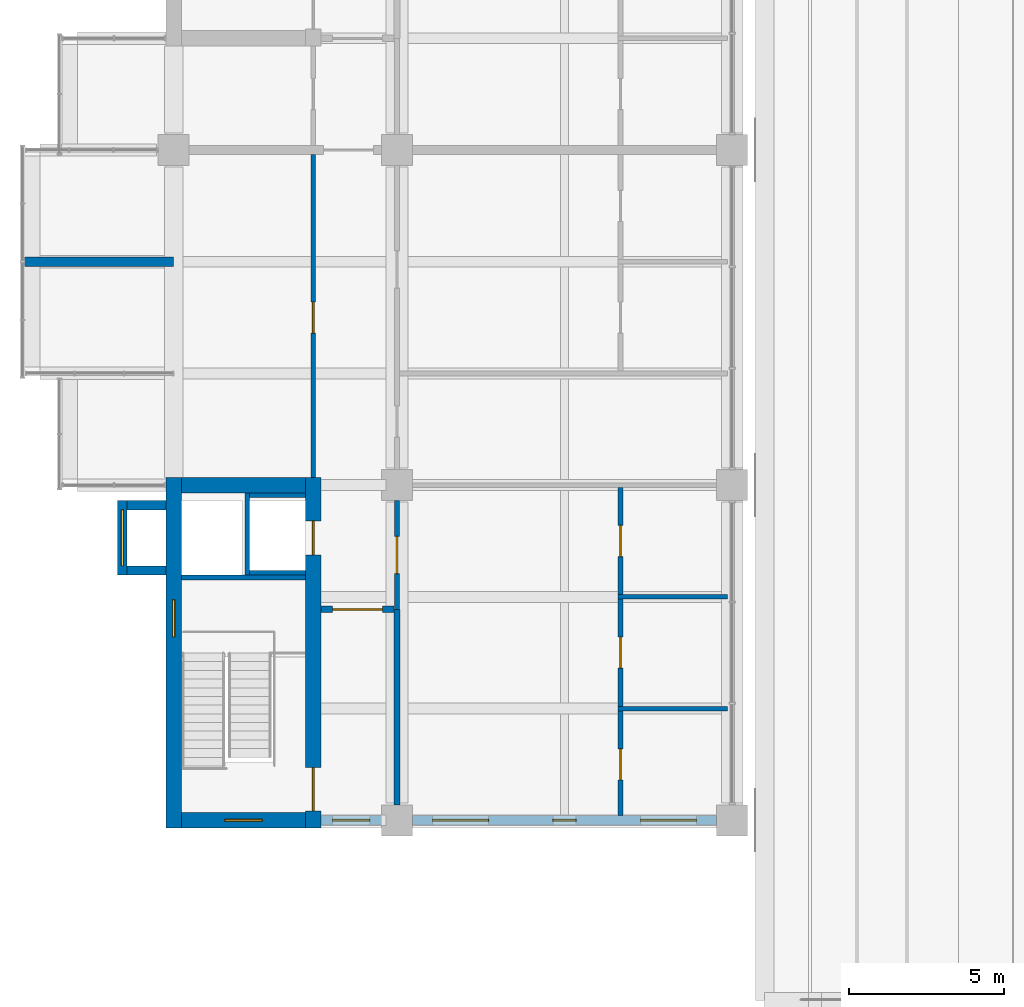
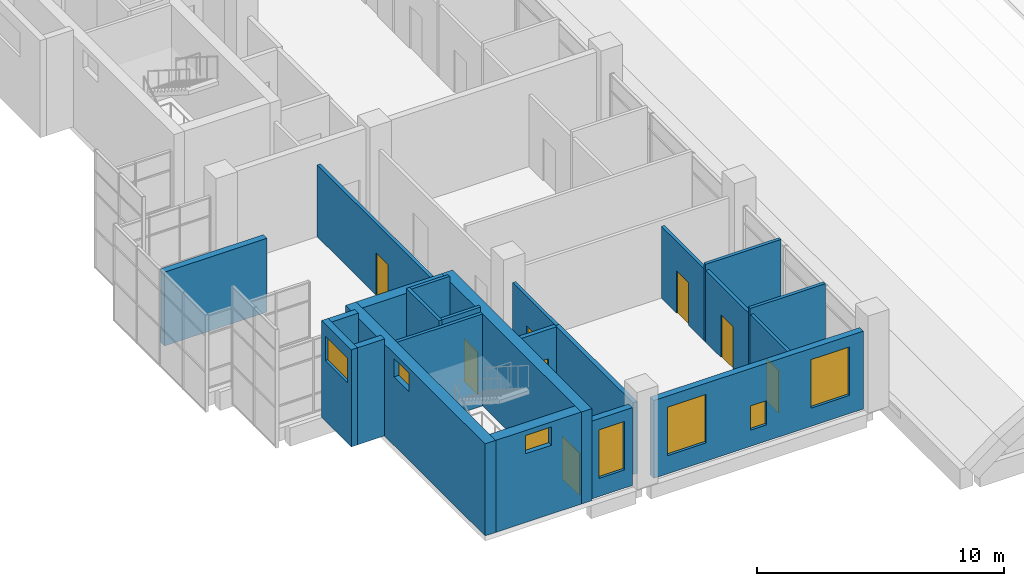
# One storey, part 30 of 45: 23 walls, 8 doors, 7 windows, 15 openings.
"""IFC4 building model written with IfcOpenShell, lengths in metres."""

from ifc_helpers import new_model, si_unit, direction, frame, frame_2d, origin, place, context, subcontext, project, spatial, rectangle, extrude, material, layer, layer_set, type_object, element, fill, save


model = new_model("IFC4")

# Units and contexts
model_context = context("Model", 3, precision=1e-05, world=origin(), true_north=direction((0.0, 1.0)))
body_context = subcontext(model_context, "Body", "Model", "MODEL_VIEW")
ifc_project = project(units=[si_unit("LENGTHUNIT", "METRE"), si_unit("AREAUNIT", "SQUARE_METRE"), si_unit("VOLUMEUNIT", "CUBIC_METRE"), si_unit("PLANEANGLEUNIT", "RADIAN"), si_unit("MASSUNIT", "GRAM", prefix="KILO")], contexts=[model_context])

# Site, building, storey
site_placement = place(None, origin())
site = spatial("IfcSite", under=ifc_project, at=site_placement, CompositionType="ELEMENT")
building_placement = place(site_placement, origin())
building = spatial("IfcBuilding", under=site, at=building_placement, Name="Basin Gate Institute", CompositionType="ELEMENT")
storey_placement = place(building_placement, frame((0.0, 0.0, 22.199951171875)))
storey = spatial("IfcBuildingStorey", under=building, at=storey_placement, Name="L04", CompositionType="ELEMENT", Elevation=22.199951171875)

# Wall
ifc_material_1 = material(Name="Aluminium-faced insulated panel wall", Category="aluminium")
ifc_layer_1 = layer(ifc_material_1, 0.300048828125)
ifc_layer_set_1 = layer_set([ifc_layer_1], Name="Capsule side wall EW2 EI 120")
wall_type_1 = type_object("IfcWallType", Name="Capsule side wall EW2 EI 120", PredefinedType="STANDARD", material=ifc_layer_set_1)
wall_1_placement = place(storey_placement, frame((56.39990234375, 53.10009765625, 0.0), z_axis=(0.0, 0.0, 1.0), x_axis=(1.0, 0.0, 0.0)))
element("IfcWall", 1, at=wall_1_placement, inside=storey, type_object=wall_type_1, material=ifc_layer_set_1, Name="Capsule side wall W wing L04 line 6", PredefinedType="STANDARD", context=body_context, shape_type="SweptSolid", body=[
    extrude(rectangle(XDim=4.800048828125, YDim=0.300048828125, at=frame_2d((2.39990234375, 0.0))), origin(), (0.0, 0.0, 1.0), 3.650146484375),
])

# Wall, opening, door
ifc_material_2 = material(Name="Fire-rated masonry", Category="masonry")
ifc_layer_2 = layer(ifc_material_2, 0.199951171875)
ifc_layer_set_2 = layer_set([ifc_layer_2], Name="Enclosure wall PW2 200 EI 60")
wall_type_2 = type_object("IfcWallType", Name="Enclosure wall PW2 200 EI 60", PredefinedType="PARTITIONING", material=ifc_layer_set_2)
wall_2_placement = place(storey_placement, frame((65.949951171875, 41.89990234375, 0.0), z_axis=(0.0, 0.0, 1.0), x_axis=(1.0, 0.0, 0.0)))
wall_2 = element("IfcWall", 2, at=wall_2_placement, inside=storey, type_object=wall_type_2, material=ifc_layer_set_2, Name="Smoke lobby enclosure wall PW2 L04", PredefinedType="PARTITIONING", context=body_context, shape_type="SweptSolid", body=[
    extrude(rectangle(XDim=2.35009765625, YDim=0.199951171875, at=frame_2d((1.175048828125, 0.0))), origin(), (0.0, 0.0, 1.0), 3.550048828125),
])
opening_1_placement = place(wall_2_placement, frame((0.375, 0.0, 0.0)))
opening_1 = element("IfcOpeningElement", 3, at=opening_1_placement, cuts=wall_2, Name="Opening DR239", PredefinedType="OPENING", context=body_context, shape_type="SweptSolid", body=[
    extrude(rectangle(XDim=1.60009765625, YDim=2.10009765625, at=frame_2d((0.800048828125, 1.050048828125))), frame((0.0, 0.10986328125, 0.0), z_axis=(0.0, -1.0, 0.0), x_axis=(1.0, 0.0, 0.0)), (0.0, 0.0, 1.0), 0.219970703125),
])
ifc_material_3 = material(Name="Steel fire door", Category="steel")
door_type_1 = type_object("IfcDoorType", Name="FD60 Smoke lobby door pair D8", OperationType="DOUBLE_DOOR_SINGLE_SWING", PredefinedType="DOOR", material=ifc_material_3)
door_1_placement = place(opening_1_placement, frame((1.60009765625, 0.0, 0.0), z_axis=(0.0, 0.0, 1.0), x_axis=(-1.0, 0.0, 0.0)))
door_1 = element("IfcDoor", 4, at=door_1_placement, inside=storey, type_object=door_type_1, material=ifc_material_3, Name="Smoke lobby door SS1 L04", OperationType="DOUBLE_DOOR_SINGLE_SWING", OverallHeight=2.10009765625, OverallWidth=1.60009765625, PredefinedType="DOOR", context=body_context, shape_type="SweptSolid", body=[
    extrude(rectangle(XDim=1.60009765625, YDim=2.10009765625, at=frame_2d((0.800048828125, 1.050048828125))), frame((0.0, 0.02490234375, 0.0), z_axis=(0.0, -1.0, 0.0), x_axis=(1.0, 0.0, 0.0)), (0.0, 0.0, 1.0), 0.050048828125),
])
fill(opening_1, door_1)

# Wall
wall_3_placement = place(storey_placement, frame((68.39990234375, 35.60009765625, 0.0), z_axis=(0.0, 0.0, 1.0), x_axis=(0.0, 1.0, 0.0)))
element("IfcWall", 5, at=wall_3_placement, inside=storey, type_object=wall_type_2, material=ifc_layer_set_2, Name="Smoke lobby enclosure wall PW2 L04", PredefinedType="PARTITIONING", context=body_context, shape_type="SweptSolid", body=[
    extrude(rectangle(XDim=6.2998046875, YDim=0.199951171875, at=frame_2d((3.14990234375, 0.0))), origin(), (0.0, 0.0, 1.0), 3.550048828125),
])

# Wall, opening, window
ifc_material_4 = material(Name="Aluminium-faced insulated panel wall", Category="aluminium")
ifc_layer_3 = layer(ifc_material_4, 0.300048828125)
ifc_layer_set_3 = layer_set([ifc_layer_3], Name="External wall EW1 EI 120")
wall_type_3 = type_object("IfcWallType", Name="External wall EW1 EI 120", PredefinedType="STANDARD", material=ifc_layer_set_3)
wall_4_placement = place(storey_placement, frame((65.949951171875, 35.10009765625, 0.0), z_axis=(0.0, 0.0, 1.0), x_axis=(1.0, 0.0, 0.0)))
wall_4 = element("IfcWall", 6, at=wall_4_placement, inside=storey, type_object=wall_type_3, material=ifc_layer_set_3, Name="External end wall W wing south L04 1", PredefinedType="STANDARD", context=body_context, shape_type="SweptSolid", body=[
    extrude(rectangle(XDim=1.949951171875, YDim=0.300048828125, at=frame_2d((0.97509765625, 0.0))), origin(), (0.0, 0.0, 1.0), 3.85009765625),
])
opening_2_placement = place(wall_4_placement, frame((0.375, 0.0, 0.89990234375)))
opening_2 = element("IfcOpeningElement", 7, at=opening_2_placement, cuts=wall_4, Name="Opening WN4", PredefinedType="OPENING", context=body_context, shape_type="SweptSolid", body=[
    extrude(rectangle(XDim=1.199951171875, YDim=2.39990234375, at=frame_2d((0.60009765625, 1.199951171875))), frame((0.0, 0.16015625, 0.0), z_axis=(0.0, -1.0, 0.0), x_axis=(1.0, 0.0, 0.0)), (0.0, 0.0, 1.0), 0.320068359375),
])
ifc_material_5 = material(Name="Aluminium-framed double glazing", Category="aluminium")
window_type_1 = type_object("IfcWindowType", Name="Corridor end window WN4", PartitioningType="SINGLE_PANEL", PredefinedType="WINDOW", material=ifc_material_5)
window_1_placement = place(opening_2_placement, origin())
window_1 = element("IfcWindow", 8, at=window_1_placement, inside=storey, type_object=window_type_1, material=ifc_material_5, Name="Corridor end window W wing S L04", OverallHeight=2.39990234375, OverallWidth=1.199951171875, PartitioningType="SINGLE_PANEL", PredefinedType="WINDOW", context=body_context, shape_type="SweptSolid", body=[
    extrude(rectangle(XDim=1.199951171875, YDim=2.39990234375, at=frame_2d((0.60009765625, 1.199951171875))), frame((0.0, 0.030029296875, 0.0), z_axis=(0.0, -1.0, 0.0), x_axis=(1.0, 0.0, 0.0)), (0.0, 0.0, 1.0), 0.06005859375),
])
fill(opening_2, window_1)

# Wall, openings, windows
wall_5_placement = place(storey_placement, frame((68.89990234375, 35.10009765625, 0.0), z_axis=(0.0, 0.0, 1.0), x_axis=(1.0, 0.0, 0.0)))
wall_5 = element("IfcWall", 9, at=wall_5_placement, inside=storey, type_object=wall_type_3, material=ifc_layer_set_3, Name="External end wall W wing south L04 2", PredefinedType="STANDARD", context=body_context, shape_type="SweptSolid", body=[
    extrude(rectangle(XDim=9.800048828125, YDim=0.300048828125, at=frame_2d((4.89990234375, 0.0))), origin(), (0.0, 0.0, 1.0), 3.85009765625),
])
opening_3_placement = place(wall_5_placement, frame((0.64990234375, 0.0, 0.89990234375)))
opening_3 = element("IfcOpeningElement", 10, at=opening_3_placement, cuts=wall_5, Name="Opening WN1", PredefinedType="OPENING", context=body_context, shape_type="SweptSolid", body=[
    extrude(rectangle(XDim=1.800048828125, YDim=2.39990234375, at=frame_2d((0.89990234375, 1.199951171875))), frame((0.0, 0.16015625, 0.0), z_axis=(0.0, -1.0, 0.0), x_axis=(1.0, 0.0, 0.0)), (0.0, 0.0, 1.0), 0.320068359375),
])
opening_4_placement = place(wall_5_placement, frame((4.52490234375, 0.0, 0.800048828125)))
opening_4 = element("IfcOpeningElement", 11, at=opening_4_placement, cuts=wall_5, Name="Opening WN3", PredefinedType="OPENING", context=body_context, shape_type="SweptSolid", body=[
    extrude(rectangle(XDim=0.75, YDim=1.199951171875, at=frame_2d((0.375, 0.60009765625))), frame((0.0, 0.16015625, 0.0), z_axis=(0.0, -1.0, 0.0), x_axis=(1.0, 0.0, 0.0)), (0.0, 0.0, 1.0), 0.320068359375),
])
opening_5_placement = place(wall_5_placement, frame((7.35009765625, 0.0, 0.89990234375)))
opening_5 = element("IfcOpeningElement", 12, at=opening_5_placement, cuts=wall_5, Name="Opening WN1", PredefinedType="OPENING", context=body_context, shape_type="SweptSolid", body=[
    extrude(rectangle(XDim=1.800048828125, YDim=2.39990234375, at=frame_2d((0.89990234375, 1.199951171875))), frame((0.0, 0.16015625, 0.0), z_axis=(0.0, -1.0, 0.0), x_axis=(1.0, 0.0, 0.0)), (0.0, 0.0, 1.0), 0.320068359375),
])
ifc_material_6 = material(Name="Aluminium-framed double glazing", Category="aluminium")
window_type_2 = type_object("IfcWindowType", Name="Emergency entry panel WN3", PartitioningType="SINGLE_PANEL", PredefinedType="WINDOW", material=ifc_material_6)
window_2_placement = place(opening_4_placement, origin())
window_2 = element("IfcWindow", 13, at=window_2_placement, inside=storey, type_object=window_type_2, material=ifc_material_6, Name="Emergency entry panel W wing end S L04 bay 2", OverallHeight=1.199951171875, OverallWidth=0.75, PartitioningType="SINGLE_PANEL", PredefinedType="WINDOW", context=body_context, shape_type="SweptSolid", body=[
    extrude(rectangle(XDim=0.75, YDim=1.199951171875, at=frame_2d((0.375, 0.60009765625))), frame((0.0, 0.030029296875, 0.0), z_axis=(0.0, -1.0, 0.0), x_axis=(1.0, 0.0, 0.0)), (0.0, 0.0, 1.0), 0.06005859375),
])
fill(opening_4, window_2)
ifc_material_7 = material(Name="Aluminium-framed double glazing", Category="aluminium")
window_type_3 = type_object("IfcWindowType", Name="Facade window WN1", PartitioningType="SINGLE_PANEL", PredefinedType="WINDOW", material=ifc_material_7)
window_3_placement = place(opening_3_placement, origin())
window_3 = element("IfcWindow", 14, at=window_3_placement, inside=storey, type_object=window_type_3, material=ifc_material_7, Name="Facade window W wing end S L04 bay 1", OverallHeight=2.39990234375, OverallWidth=1.800048828125, PartitioningType="SINGLE_PANEL", PredefinedType="WINDOW", context=body_context, shape_type="SweptSolid", body=[
    extrude(rectangle(XDim=1.800048828125, YDim=2.39990234375, at=frame_2d((0.89990234375, 1.199951171875))), frame((0.0, 0.030029296875, 0.0), z_axis=(0.0, -1.0, 0.0), x_axis=(1.0, 0.0, 0.0)), (0.0, 0.0, 1.0), 0.06005859375),
])
fill(opening_3, window_3)
window_4_placement = place(opening_5_placement, origin())
window_4 = element("IfcWindow", 15, at=window_4_placement, inside=storey, type_object=window_type_3, material=ifc_material_7, Name="Facade window W wing end S L04 bay 3", OverallHeight=2.39990234375, OverallWidth=1.800048828125, PartitioningType="SINGLE_PANEL", PredefinedType="WINDOW", context=body_context, shape_type="SweptSolid", body=[
    extrude(rectangle(XDim=1.800048828125, YDim=2.39990234375, at=frame_2d((0.89990234375, 1.199951171875))), frame((0.0, 0.030029296875, 0.0), z_axis=(0.0, -1.0, 0.0), x_axis=(1.0, 0.0, 0.0)), (0.0, 0.0, 1.0), 0.06005859375),
])
fill(opening_5, window_4)

# Wall, opening, door
ifc_material_8 = material(Name="Gypsum board on steel stud", Category="steel")
ifc_layer_4 = layer(ifc_material_8, 0.14990234375)
ifc_layer_set_4 = layer_set([ifc_layer_4], Name="Gypsum board on steel stud")
wall_type_4 = type_object("IfcWallType", Name="Partition PW1 150 EI 60", PredefinedType="PARTITIONING", material=ifc_layer_set_4)
wall_6_placement = place(storey_placement, frame((65.699951171875, 46.14990234375, 0.0), z_axis=(0.0, 0.0, 1.0), x_axis=(0.0, 1.0, 0.0)))
wall_6 = element("IfcWall", 16, at=wall_6_placement, inside=storey, type_object=wall_type_4, material=ifc_layer_set_4, Name="Corridor wall PW1 L04", PredefinedType="PARTITIONING", context=body_context, shape_type="SweptSolid", body=[
    extrude(rectangle(XDim=10.400146484375, YDim=0.14990234375, at=frame_2d((5.2001953125, 0.0))), origin(), (0.0, 0.0, 1.0), 3.550048828125),
])
opening_6_placement = place(wall_6_placement, frame((4.64990234375, 0.0, 0.0)))
opening_6 = element("IfcOpeningElement", 17, at=opening_6_placement, cuts=wall_6, Name="Opening DR217", PredefinedType="OPENING", context=body_context, shape_type="SweptSolid", body=[
    extrude(rectangle(XDim=1.0, YDim=2.10009765625, at=frame_2d((0.5, 1.050048828125))), frame((0.0, 0.0849609375, 0.0), z_axis=(0.0, -1.0, 0.0), x_axis=(1.0, 0.0, 0.0)), (0.0, 0.0, 1.0), 0.169921875),
])
ifc_material_9 = material(Name="Timber fire door", Category="wood")
door_type_2 = type_object("IfcDoorType", Name="FD30 Office door D1", OperationType="NOTDEFINED", PredefinedType="DOOR", material=ifc_material_9)
door_2_placement = place(opening_6_placement, origin())
door_2 = element("IfcDoor", 18, at=door_2_placement, inside=storey, type_object=door_type_2, material=ifc_material_9, Name="Door to Library Carrel Room 0401 L04", OperationType="SINGLE_SWING_LEFT", OverallHeight=2.10009765625, OverallWidth=1.0, PredefinedType="DOOR", context=body_context, shape_type="SweptSolid", body=[
    extrude(rectangle(XDim=1.0, YDim=2.10009765625, at=frame_2d((0.5, 1.050048828125))), frame((0.0, 0.02490234375, 0.0), z_axis=(0.0, -1.0, 0.0), x_axis=(1.0, 0.0, 0.0)), (0.0, 0.0, 1.0), 0.050048828125),
])
fill(opening_6, door_2)

wall_7_placement = place(storey_placement, frame((68.39990234375, 41.89990234375, 0.0), z_axis=(0.0, 0.0, 1.0), x_axis=(0.0, 1.0, 0.0)))
wall_7 = element("IfcWall", 19, at=wall_7_placement, inside=storey, type_object=wall_type_4, material=ifc_layer_set_4, Name="Laboratory corridor wall PW1 L04", PredefinedType="PARTITIONING", context=body_context, shape_type="SweptSolid", body=[
    extrude(rectangle(XDim=3.5, YDim=0.14990234375, at=frame_2d((1.75, 0.0))), origin(), (0.0, 0.0, 1.0), 3.550048828125),
])
opening_7_placement = place(wall_7_placement, frame((1.14990234375, 0.0, 0.0)))
opening_7 = element("IfcOpeningElement", 20, at=opening_7_placement, cuts=wall_7, Name="Opening DR220", PredefinedType="OPENING", context=body_context, shape_type="SweptSolid", body=[
    extrude(rectangle(XDim=1.199951171875, YDim=2.10009765625, at=frame_2d((0.60009765625, 1.050048828125))), frame((0.0, 0.0849609375, 0.0), z_axis=(0.0, -1.0, 0.0), x_axis=(1.0, 0.0, 0.0)), (0.0, 0.0, 1.0), 0.169921875),
])
ifc_material_10 = material(Name="Timber fire door", Category="wood")
door_type_3 = type_object("IfcDoorType", Name="FD30 Laboratory door D2", OperationType="DOUBLE_DOOR_SINGLE_SWING", PredefinedType="DOOR", material=ifc_material_10)
door_3_placement = place(opening_7_placement, frame((1.199951171875, 0.0, 0.0), z_axis=(0.0, 0.0, 1.0), x_axis=(-1.0, 0.0, 0.0)))
door_3 = element("IfcDoor", 21, at=door_3_placement, inside=storey, type_object=door_type_3, material=ifc_material_10, Name="Door to Wet Laboratory 0414 L04", OperationType="DOUBLE_DOOR_SINGLE_SWING", OverallHeight=2.10009765625, OverallWidth=1.199951171875, PredefinedType="DOOR", context=body_context, shape_type="SweptSolid", body=[
    extrude(rectangle(XDim=1.199951171875, YDim=2.10009765625, at=frame_2d((0.60009765625, 1.050048828125))), frame((0.0, 0.02490234375, 0.0), z_axis=(0.0, -1.0, 0.0), x_axis=(1.0, 0.0, 0.0)), (0.0, 0.0, 1.0), 0.050048828125),
])
fill(opening_7, door_3)

wall_8_placement = place(storey_placement, frame((75.60009765625, 35.25, 0.0), z_axis=(0.0, 0.0, 1.0), x_axis=(0.0, 1.0, 0.0)))
wall_8 = element("IfcWall", 22, at=wall_8_placement, inside=storey, type_object=wall_type_4, material=ifc_layer_set_4, Name="Laboratory partition PW1 L04", PredefinedType="PARTITIONING", context=body_context, shape_type="SweptSolid", body=[
    extrude(rectangle(XDim=3.375, YDim=0.14990234375, at=frame_2d((1.6875, 0.0))), origin(), (0.0, 0.0, 1.0), 3.550048828125),
])
opening_8_placement = place(wall_8_placement, frame((1.14990234375, 0.0, 0.0)))
opening_8 = element("IfcOpeningElement", 23, at=opening_8_placement, cuts=wall_8, Name="Opening DR225", PredefinedType="OPENING", context=body_context, shape_type="SweptSolid", body=[
    extrude(rectangle(XDim=1.0, YDim=2.10009765625, at=frame_2d((0.5, 1.050048828125))), frame((0.0, 0.0849609375, 0.0), z_axis=(0.0, -1.0, 0.0), x_axis=(1.0, 0.0, 0.0)), (0.0, 0.0, 1.0), 0.169921875),
])
door_4_placement = place(opening_8_placement, origin())
door_4 = element("IfcDoor", 24, at=door_4_placement, inside=storey, type_object=door_type_2, material=ifc_material_9, Name="Door to Write-up Cell 0415 L04", OperationType="SINGLE_SWING_LEFT", OverallHeight=2.10009765625, OverallWidth=1.0, PredefinedType="DOOR", context=body_context, shape_type="SweptSolid", body=[
    extrude(rectangle(XDim=1.0, YDim=2.10009765625, at=frame_2d((0.5, 1.050048828125))), frame((0.0, 0.02490234375, 0.0), z_axis=(0.0, -1.0, 0.0), x_axis=(1.0, 0.0, 0.0)), (0.0, 0.0, 1.0), 0.050048828125),
])
fill(opening_8, door_4)

wall_9_placement = place(storey_placement, frame((75.60009765625, 38.77490234375, 0.0), z_axis=(0.0, 0.0, 1.0), x_axis=(0.0, 1.0, 0.0)))
wall_9 = element("IfcWall", 25, at=wall_9_placement, inside=storey, type_object=wall_type_4, material=ifc_layer_set_4, Name="Laboratory partition PW1 L04", PredefinedType="PARTITIONING", context=body_context, shape_type="SweptSolid", body=[
    extrude(rectangle(XDim=3.4501953125, YDim=0.14990234375, at=frame_2d((1.72509765625, 0.0))), origin(), (0.0, 0.0, 1.0), 3.550048828125),
])
opening_9_placement = place(wall_9_placement, frame((1.22509765625, 0.0, 0.0)))
opening_9 = element("IfcOpeningElement", 26, at=opening_9_placement, cuts=wall_9, Name="Opening DR226", PredefinedType="OPENING", context=body_context, shape_type="SweptSolid", body=[
    extrude(rectangle(XDim=1.0, YDim=2.10009765625, at=frame_2d((0.5, 1.050048828125))), frame((0.0, 0.0849609375, 0.0), z_axis=(0.0, -1.0, 0.0), x_axis=(1.0, 0.0, 0.0)), (0.0, 0.0, 1.0), 0.169921875),
])
door_5_placement = place(opening_9_placement, origin())
door_5 = element("IfcDoor", 27, at=door_5_placement, inside=storey, type_object=door_type_2, material=ifc_material_9, Name="Door to Write-up Cell 0416 L04", OperationType="SINGLE_SWING_LEFT", OverallHeight=2.10009765625, OverallWidth=1.0, PredefinedType="DOOR", context=body_context, shape_type="SweptSolid", body=[
    extrude(rectangle(XDim=1.0, YDim=2.10009765625, at=frame_2d((0.5, 1.050048828125))), frame((0.0, 0.02490234375, 0.0), z_axis=(0.0, -1.0, 0.0), x_axis=(1.0, 0.0, 0.0)), (0.0, 0.0, 1.0), 0.050048828125),
])
fill(opening_9, door_5)

wall_10_placement = place(storey_placement, frame((75.60009765625, 42.375, 0.0), z_axis=(0.0, 0.0, 1.0), x_axis=(0.0, 1.0, 0.0)))
wall_10 = element("IfcWall", 28, at=wall_10_placement, inside=storey, type_object=wall_type_4, material=ifc_layer_set_4, Name="Laboratory partition PW1 L04", PredefinedType="PARTITIONING", context=body_context, shape_type="SweptSolid", body=[
    extrude(rectangle(XDim=3.449951171875, YDim=0.14990234375, at=frame_2d((1.72509765625, 0.0))), origin(), (0.0, 0.0, 1.0), 3.550048828125),
])
opening_10_placement = place(wall_10_placement, frame((1.22509765625, 0.0, 0.0)))
opening_10 = element("IfcOpeningElement", 29, at=opening_10_placement, cuts=wall_10, Name="Opening DR227", PredefinedType="OPENING", context=body_context, shape_type="SweptSolid", body=[
    extrude(rectangle(XDim=1.0, YDim=2.10009765625, at=frame_2d((0.5, 1.050048828125))), frame((0.0, 0.0849609375, 0.0), z_axis=(0.0, -1.0, 0.0), x_axis=(1.0, 0.0, 0.0)), (0.0, 0.0, 1.0), 0.169921875),
])
door_6_placement = place(opening_10_placement, origin())
door_6 = element("IfcDoor", 30, at=door_6_placement, inside=storey, type_object=door_type_2, material=ifc_material_9, Name="Door to Write-up Cell 0417 L04", OperationType="SINGLE_SWING_RIGHT", OverallHeight=2.10009765625, OverallWidth=1.0, PredefinedType="DOOR", context=body_context, shape_type="SweptSolid", body=[
    extrude(rectangle(XDim=1.0, YDim=2.10009765625, at=frame_2d((0.5, 1.050048828125))), frame((0.0, 0.02490234375, 0.0), z_axis=(0.0, -1.0, 0.0), x_axis=(1.0, 0.0, 0.0)), (0.0, 0.0, 1.0), 0.050048828125),
])
fill(opening_10, door_6)

# Walls
for number, where, z_axis, x_axis, name in (
    (31, (75.52490234375, 38.699951171875, 0.0), (0.0, 0.0, 1.0), (1.0, 0.0, 0.0), "Laboratory partition PW1 L04"),
    (32, (75.52490234375, 42.300048828125, 0.0), (0.0, 0.0, 1.0), (1.0, 0.0, 0.0), "Laboratory partition PW1 L04"),
):
    element("IfcWall", number, at=place(storey_placement, frame(where, z_axis=z_axis, x_axis=x_axis)), inside=storey, type_object=wall_type_4, material=ifc_layer_set_4, Name=name, PredefinedType="PARTITIONING", context=body_context, shape_type="SweptSolid", body=[
        extrude(rectangle(XDim=3.525146484375, YDim=0.14990234375, at=frame_2d((1.7626953125, 0.0))), origin(), (0.0, 0.0, 1.0), 3.85009765625),
    ])
ifc_material_11 = material(Name="Concrete 40 MPa", Category="concrete")
ifc_layer_5 = layer(ifc_material_11, 0.14990234375)
ifc_layer_set_5 = layer_set([ifc_layer_5], Name="Concrete 40 MPa")
wall_type_5 = type_object("IfcWallType", Name="Wall LS1 lift shaft enclosure R120", PredefinedType="SOLIDWALL", material=ifc_layer_set_5)
wall_11_placement = place(storey_placement, frame((63.574951171875, 43.0, 0.0), z_axis=(0.0, 0.0, 1.0), x_axis=(0.0, 1.0, 0.0)))
element("IfcWall", 33, at=wall_11_placement, inside=storey, type_object=wall_type_5, material=ifc_layer_set_5, Name="Lift shaft enclosure LP1 L04 UL", PredefinedType="SOLIDWALL", context=body_context, shape_type="SweptSolid", body=[
    extrude(rectangle(XDim=2.64990234375, YDim=0.14990234375, at=frame_2d((1.324951171875, 0.0))), origin(), (0.0, 0.0, 1.0), 4.800048828125),
])
for number, where, z_axis, x_axis, name in (
    (34, (63.64990234375, 43.074951171875, 0.0), (0.0, 0.0, 1.0), (1.0, 0.0, 0.0), "Lift shaft enclosure LP1 L04 RL"),
    (35, (63.64990234375, 45.574951171875, 0.0), (0.0, 0.0, 1.0), (1.0, 0.0, 0.0), "Lift shaft enclosure LP1 L04 RH"),
):
    element("IfcWall", number, at=place(storey_placement, frame(where, z_axis=z_axis, x_axis=x_axis)), inside=storey, type_object=wall_type_5, material=ifc_layer_set_5, Name=name, PredefinedType="SOLIDWALL", context=body_context, shape_type="SweptSolid", body=[
        extrude(rectangle(XDim=1.800048828125, YDim=0.14990234375, at=frame_2d((0.89990234375, 0.0))), origin(), (0.0, 0.0, 1.0), 4.800048828125),
    ])
ifc_material_12 = material(Name="Concrete 40 MPa", Category="concrete")
ifc_layer_6 = layer(ifc_material_12, 0.14990234375)
ifc_layer_set_6 = layer_set([ifc_layer_6], Name="Concrete 40 MPa")
wall_type_6 = type_object("IfcWallType", Name="Wall SE1 stair enclosure R120", PredefinedType="SOLIDWALL", material=ifc_layer_set_6)
wall_12_placement = place(storey_placement, frame((61.449951171875, 42.925048828125, 0.0), z_axis=(0.0, 0.0, 1.0), x_axis=(1.0, 0.0, 0.0)))
element("IfcWall", 36, at=wall_12_placement, inside=storey, type_object=wall_type_6, material=ifc_layer_set_6, Name="Stair enclosure wall ST-WS L04", PredefinedType="SOLIDWALL", context=body_context, shape_type="SweptSolid", body=[
    extrude(rectangle(XDim=4.0, YDim=0.14990234375, at=frame_2d((2.0, 0.0))), origin(), (0.0, 0.0, 1.0), 4.550048828125),
])

# Wall, opening, window
ifc_material_13 = material(Name="Concrete 50 MPa", Category="concrete")
ifc_layer_7 = layer(ifc_material_13, 0.300048828125)
ifc_layer_set_7 = layer_set([ifc_layer_7], Name="Concrete 50 MPa")
wall_type_7 = type_object("IfcWallType", Name="Wall SK1 R120", PredefinedType="SHEAR", material=ifc_layer_set_7)
wall_13_placement = place(storey_placement, frame((59.550048828125, 43.0, 0.0), z_axis=(0.0, 0.0, 1.0), x_axis=(0.0, 1.0, 0.0)))
wall_13 = element("IfcWall", 37, at=wall_13_placement, inside=storey, type_object=wall_type_7, material=ifc_layer_set_7, Name="Spine riser stack wall SK1 WS F L04", PredefinedType="SHEAR", context=body_context, shape_type="SweptSolid", body=[
    extrude(rectangle(XDim=2.39990234375, YDim=0.300048828125, at=frame_2d((1.199951171875, 0.0))), origin(), (0.0, 0.0, 1.0), 4.800048828125),
])
opening_11_placement = place(wall_13_placement, frame((0.300048828125, 0.0, 3.0)))
opening_11 = element("IfcOpeningElement", 38, at=opening_11_placement, cuts=wall_13, Name="Opening WL2", PredefinedType="OPENING", context=body_context, shape_type="SweptSolid", body=[
    extrude(rectangle(XDim=1.800048828125, YDim=1.199951171875, at=frame_2d((0.89990234375, 0.60009765625))), frame((0.0, 0.16015625, 0.0), z_axis=(0.0, -1.0, 0.0), x_axis=(1.0, 0.0, 0.0)), (0.0, 0.0, 1.0), 0.320068359375),
])
ifc_material_14 = material(Name="Aluminium louvre blades with fire damper", Category="aluminium")
window_type_4 = type_object("IfcWindowType", Name="Riser louvre EI 120 WL2", PartitioningType="SINGLE_PANEL", PredefinedType="WINDOW", material=ifc_material_14)
window_5_placement = place(opening_11_placement, origin())
window_5 = element("IfcWindow", 39, at=window_5_placement, inside=storey, type_object=window_type_4, material=ifc_material_14, Name="Riser louvre EI 120 WS riser 1 L04", OverallHeight=1.199951171875, OverallWidth=1.800048828125, PartitioningType="SINGLE_PANEL", PredefinedType="WINDOW", context=body_context, shape_type="SweptSolid", body=[
    extrude(rectangle(XDim=1.800048828125, YDim=1.199951171875, at=frame_2d((0.89990234375, 0.60009765625))), frame((0.0, 0.030029296875, 0.0), z_axis=(0.0, -1.0, 0.0), x_axis=(1.0, 0.0, 0.0)), (0.0, 0.0, 1.0), 0.06005859375),
])
fill(opening_11, window_5)

# Walls
for number, where, z_axis, x_axis, name in (
    (40, (60.949951171875, 43.14990234375, 0.0), (0.0, 0.0, 1.0), (-1.0, 0.0, 0.0), "Spine riser stack wall SK1 WS A L04"),
    (41, (60.949951171875, 45.25, 0.0), (0.0, 0.0, 1.0), (-1.0, 0.0, 0.0), "Spine riser stack wall SK1 WS B L04"),
):
    element("IfcWall", number, at=place(storey_placement, frame(where, z_axis=z_axis, x_axis=x_axis)), inside=storey, type_object=wall_type_7, material=ifc_layer_set_7, Name=name, PredefinedType="SHEAR", context=body_context, shape_type="SweptSolid", body=[
        extrude(rectangle(XDim=1.25, YDim=0.300048828125, at=frame_2d((0.625, 0.0))), origin(), (0.0, 0.0, 1.0), 4.800048828125),
    ])

# Wall, opening, window
ifc_material_15 = material(Name="Concrete 60 MPa", Category="concrete")
ifc_layer_8 = layer(ifc_material_15, 0.5)
ifc_layer_set_8 = layer_set([ifc_layer_8], Name="Concrete 60 MPa")
wall_type_8 = type_object("IfcWallType", Name="Wall SW1 R120", PredefinedType="SHEAR", material=ifc_layer_set_8)
wall_14_placement = place(storey_placement, frame((61.199951171875, 34.85009765625, 0.0), z_axis=(0.0, 0.0, 1.0), x_axis=(0.0, 1.0, 0.0)))
wall_14 = element("IfcWall", 42, at=wall_14_placement, inside=storey, type_object=wall_type_8, material=ifc_layer_set_8, Name="WALL/L04/WS/L", PredefinedType="SHEAR", context=body_context, shape_type="SweptSolid", body=[
    extrude(rectangle(XDim=11.2998046875, YDim=0.5, at=frame_2d((5.64990234375, 0.0))), origin(), (0.0, 0.0, 1.0), 4.550048828125),
])
opening_12_placement = place(wall_14_placement, frame((6.159912109375, 0.0, 3.39990234375)))
opening_12 = element("IfcOpeningElement", 43, at=opening_12_placement, cuts=wall_14, Name="Opening WT2", PredefinedType="OPENING", context=body_context, shape_type="SweptSolid", body=[
    extrude(rectangle(XDim=1.199951171875, YDim=0.89990234375, at=frame_2d((0.60009765625, 0.449951171875))), frame((0.0, 0.260009765625, 0.0), z_axis=(0.0, -1.0, 0.0), x_axis=(1.0, 0.0, 0.0)), (0.0, 0.0, 1.0), 0.52001953125),
])
ifc_material_16 = material(Name="Fire-resistant glazing in steel-free frame", Category="steel")
window_type_5 = type_object("IfcWindowType", Name="Rated stair window EI 120 WT2", PartitioningType="SINGLE_PANEL", PredefinedType="WINDOW", material=ifc_material_16)
window_6_placement = place(opening_12_placement, origin())
window_6 = element("IfcWindow", 44, at=window_6_placement, inside=storey, type_object=window_type_5, material=ifc_material_16, Name="Rated stair window EI 120 WS landing L04", OverallHeight=0.89990234375, OverallWidth=1.199951171875, PartitioningType="SINGLE_PANEL", PredefinedType="WINDOW", context=body_context, shape_type="SweptSolid", body=[
    extrude(rectangle(XDim=1.199951171875, YDim=0.89990234375, at=frame_2d((0.60009765625, 0.449951171875))), frame((0.0, 0.030029296875, 0.0), z_axis=(0.0, -1.0, 0.0), x_axis=(1.0, 0.0, 0.0)), (0.0, 0.0, 1.0), 0.06005859375),
])
fill(opening_12, window_6)

# Wall, openings, doors
wall_15_placement = place(storey_placement, frame((65.699951171875, 34.85009765625, 0.0), z_axis=(0.0, 0.0, 1.0), x_axis=(0.0, 1.0, 0.0)))
wall_15 = element("IfcWall", 45, at=wall_15_placement, inside=storey, type_object=wall_type_8, material=ifc_layer_set_8, Name="WALL/L04/WS/C", PredefinedType="SHEAR", context=body_context, shape_type="SweptSolid", body=[
    extrude(rectangle(XDim=11.2998046875, YDim=0.5, at=frame_2d((5.64990234375, 0.0))), origin(), (0.0, 0.0, 1.0), 4.550048828125),
])
opening_13_placement = place(wall_15_placement, frame((0.550048828125, 0.0, 0.0)))
opening_13 = element("IfcOpeningElement", 46, at=opening_13_placement, cuts=wall_15, Name="Opening DS025", PredefinedType="OPENING", context=body_context, shape_type="SweptSolid", body=[
    extrude(rectangle(XDim=1.39990234375, YDim=2.10009765625, at=frame_2d((0.699951171875, 1.050048828125))), frame((0.0, 0.260009765625, 0.0), z_axis=(0.0, -1.0, 0.0), x_axis=(1.0, 0.0, 0.0)), (0.0, 0.0, 1.0), 0.52001953125),
])
opening_14_placement = place(wall_15_placement, frame((8.800048828125, 0.0, 0.0)))
opening_14 = element("IfcOpeningElement", 47, at=opening_14_placement, cuts=wall_15, Name="Opening LD007", PredefinedType="OPENING", context=body_context, shape_type="SweptSolid", body=[
    extrude(rectangle(XDim=1.10009765625, YDim=2.10009765625, at=frame_2d((0.550048828125, 1.050048828125))), frame((0.0, 0.260009765625, 0.0), z_axis=(0.0, -1.0, 0.0), x_axis=(1.0, 0.0, 0.0)), (0.0, 0.0, 1.0), 0.52001953125),
])
ifc_material_17 = material(Name="Steel fire door", Category="steel")
door_type_4 = type_object("IfcDoorType", Name="FD30 Stair enclosure door DS", OperationType="DOUBLE_DOOR_SINGLE_SWING", PredefinedType="DOOR", material=ifc_material_17)
door_7_placement = place(opening_13_placement, origin())
door_7 = element("IfcDoor", 48, at=door_7_placement, inside=storey, type_object=door_type_4, material=ifc_material_17, Name="Stair enclosure door ST-WS L04", OperationType="DOUBLE_DOOR_SINGLE_SWING", OverallHeight=2.10009765625, OverallWidth=1.39990234375, PredefinedType="DOOR", context=body_context, shape_type="SweptSolid", body=[
    extrude(rectangle(XDim=1.39990234375, YDim=2.10009765625, at=frame_2d((0.699951171875, 1.050048828125))), frame((0.0, 0.02490234375, 0.0), z_axis=(0.0, -1.0, 0.0), x_axis=(1.0, 0.0, 0.0)), (0.0, 0.0, 1.0), 0.050048828125),
])
fill(opening_13, door_7)
ifc_material_18 = material(Name="Stainless steel", Category="steel")
door_type_5 = type_object("IfcDoorType", Name="FD60 Lift landing door LD", OperationType="SLIDING_TO_LEFT", PredefinedType="DOOR", material=ifc_material_18)
door_8_placement = place(opening_14_placement, origin())
door_8 = element("IfcDoor", 49, at=door_8_placement, inside=storey, type_object=door_type_5, material=ifc_material_18, Name="Lift landing door LP1 L04", OperationType="SLIDING_TO_LEFT", OverallHeight=2.10009765625, OverallWidth=1.10009765625, PredefinedType="DOOR", context=body_context, shape_type="SweptSolid", body=[
    extrude(rectangle(XDim=1.10009765625, YDim=2.10009765625, at=frame_2d((0.550048828125, 1.050048828125))), frame((0.0, 0.02490234375, 0.0), z_axis=(0.0, -1.0, 0.0), x_axis=(1.0, 0.0, 0.0)), (0.0, 0.0, 1.0), 0.050048828125),
])
fill(opening_14, door_8)

# Wall, opening, window
wall_16_placement = place(storey_placement, frame((61.449951171875, 35.10009765625, 0.0), z_axis=(0.0, 0.0, 1.0), x_axis=(1.0, 0.0, 0.0)))
wall_16 = element("IfcWall", 50, at=wall_16_placement, inside=storey, type_object=wall_type_8, material=ifc_layer_set_8, Name="WALL/L04/WS/S", PredefinedType="SHEAR", context=body_context, shape_type="SweptSolid", body=[
    extrude(rectangle(XDim=4.0, YDim=0.5, at=frame_2d((2.0, 0.0))), origin(), (0.0, 0.0, 1.0), 4.550048828125),
])
opening_15_placement = place(wall_16_placement, frame((1.39990234375, 0.0, 3.39990234375)))
opening_15 = element("IfcOpeningElement", 51, at=opening_15_placement, cuts=wall_16, Name="Opening WT2", PredefinedType="OPENING", context=body_context, shape_type="SweptSolid", body=[
    extrude(rectangle(XDim=1.199951171875, YDim=0.89990234375, at=frame_2d((0.60009765625, 0.449951171875))), frame((0.0, 0.260009765625, 0.0), z_axis=(0.0, -1.0, 0.0), x_axis=(1.0, 0.0, 0.0)), (0.0, 0.0, 1.0), 0.52001953125),
])
window_7_placement = place(opening_15_placement, origin())
window_7 = element("IfcWindow", 52, at=window_7_placement, inside=storey, type_object=window_type_5, material=ifc_material_16, Name="Rated stair window EI 120 WS end L04", OverallHeight=0.89990234375, OverallWidth=1.199951171875, PartitioningType="SINGLE_PANEL", PredefinedType="WINDOW", context=body_context, shape_type="SweptSolid", body=[
    extrude(rectangle(XDim=1.199951171875, YDim=0.89990234375, at=frame_2d((0.60009765625, 0.449951171875))), frame((0.0, 0.030029296875, 0.0), z_axis=(0.0, -1.0, 0.0), x_axis=(1.0, 0.0, 0.0)), (0.0, 0.0, 1.0), 0.06005859375),
])
fill(opening_15, window_7)

# Wall
wall_17_placement = place(storey_placement, frame((61.449951171875, 45.89990234375, 0.0), z_axis=(0.0, 0.0, 1.0), x_axis=(1.0, 0.0, 0.0)))
element("IfcWall", 53, at=wall_17_placement, inside=storey, type_object=wall_type_8, material=ifc_layer_set_8, Name="WALL/L04/WS/N", PredefinedType="SHEAR", context=body_context, shape_type="SweptSolid", body=[
    extrude(rectangle(XDim=4.0, YDim=0.5, at=frame_2d((2.0, 0.0))), origin(), (0.0, 0.0, 1.0), 4.550048828125),
])

save(model, "model.ifc")
